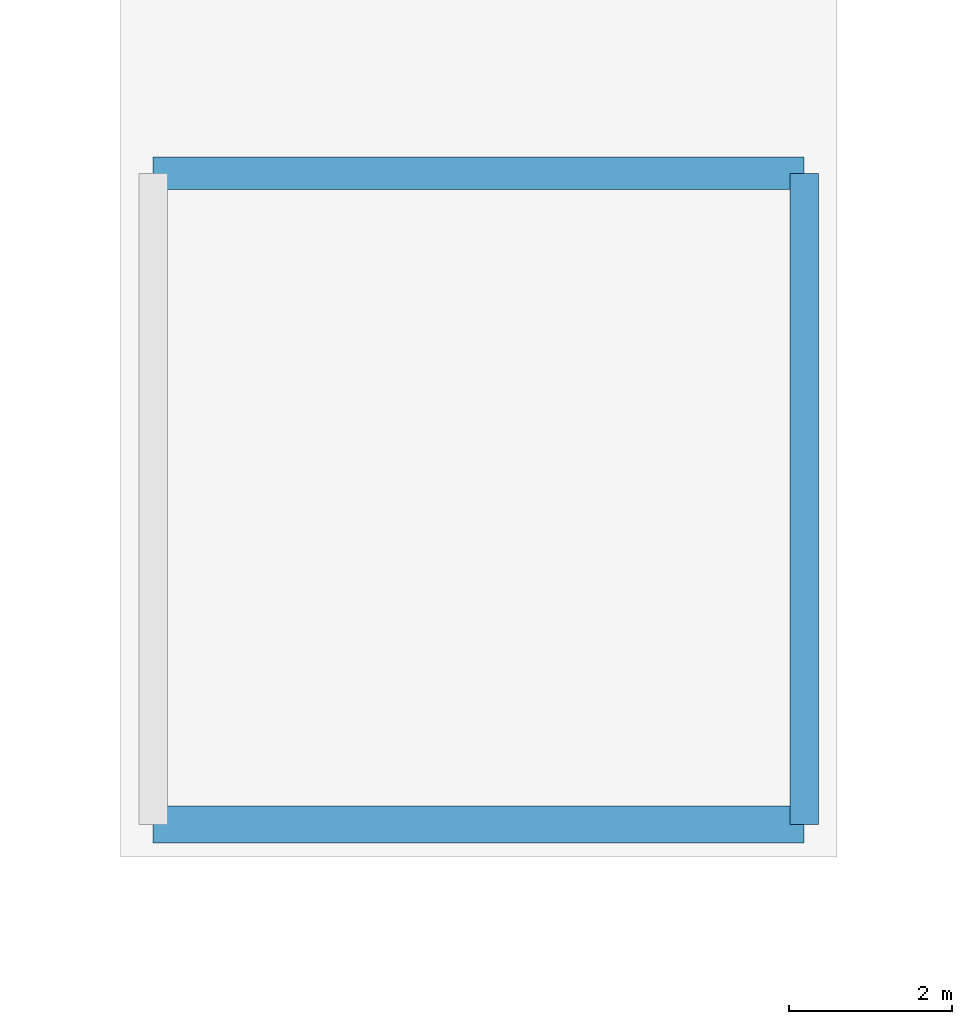
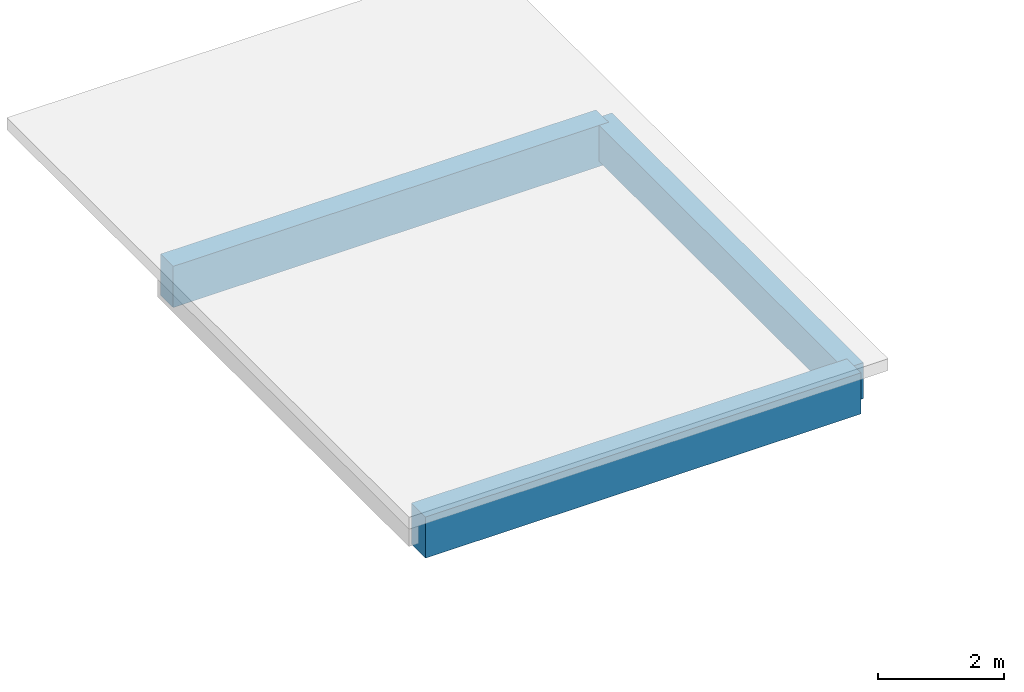
# One storey, part 38 of 72: 3 beams.
"""IFC4 building model written with IfcOpenShell, lengths in metres."""

from ifc_helpers import new_model, si_unit, direction, frame, origin, origin_2d, place, context, subcontext, project, spatial, rectangle, extrude, material, material_profile, profile_set, type_object, element, save


model = new_model("IFC4")

# Units and contexts
model_context = context("Model", 3, precision=1e-05, world=origin(), true_north=direction((0.0, 1.0)))
body_context = subcontext(model_context, "Body", "Model", "MODEL_VIEW")
ifc_project = project(units=[si_unit("LENGTHUNIT", "METRE"), si_unit("AREAUNIT", "SQUARE_METRE"), si_unit("VOLUMEUNIT", "CUBIC_METRE"), si_unit("PLANEANGLEUNIT", "RADIAN"), si_unit("MASSUNIT", "GRAM", prefix="KILO")], contexts=[model_context])

# Site, building, storey
site_placement = place(None, origin())
site = spatial("IfcSite", under=ifc_project, at=site_placement, CompositionType="ELEMENT")
building_placement = place(site_placement, origin())
building = spatial("IfcBuilding", under=site, at=building_placement, Name="Tenunan Teduh Sports Hall", CompositionType="ELEMENT")
storey_placement = place(building_placement, frame((0.0, 0.0, 15.0)))
storey = spatial("IfcBuildingStorey", under=building, at=storey_placement, Name="L03", CompositionType="ELEMENT", Elevation=15.0)

# Beams
ifc_material_1 = material(Name="Concrete C40/50", Category="concrete")
ifc_material_profile_1 = material_profile(ifc_material_1, rectangle(XDim=0.35009765625, YDim=0.699951171875, at=origin_2d()), Name="RCB 350x700")
ifc_profile_set_1 = profile_set([ifc_material_profile_1], Name="Concrete C40/50")
beam_type_1 = type_object("IfcBeamType", Name="BM-RC-350x700", PredefinedType="BEAM", material=ifc_profile_set_1)
beam_1_placement = place(storey_placement, frame((154.0, 94.0, -0.590087890625), z_axis=(0.0, 1.0, 0.0), x_axis=(-1.0, 0.0, 0.0)))
element("IfcBeam", 1, at=beam_1_placement, inside=storey, type_object=beam_type_1, Name="BM-B-06-L03-1945", PredefinedType="BEAM", context=body_context, shape_type="SweptSolid", body=[
    extrude(rectangle(XDim=0.35009765625, YDim=0.699951171875, at=origin_2d()), origin(), (0.0, 0.0, 1.0), 8.0),
])
ifc_material_2 = material(Name="Concrete C40/50", Category="concrete")
ifc_material_profile_2 = material_profile(ifc_material_2, rectangle(XDim=0.39990234375, YDim=0.800048828125, at=origin_2d()), Name="RCB 400x800")
ifc_profile_set_2 = profile_set([ifc_material_profile_2], Name="Concrete C40/50")
beam_type_2 = type_object("IfcBeamType", Name="BM-RC-400x800", PredefinedType="BEAM", material=ifc_profile_set_2)
beam_2_placement = place(storey_placement, frame((146.0, 102.0, -0.639892578125), z_axis=(1.0, 0.0, 0.0), x_axis=(0.0, 1.0, 0.0)))
element("IfcBeam", 2, at=beam_2_placement, inside=storey, type_object=beam_type_2, Name="BM-B-10-L03-1861", PredefinedType="BEAM", context=body_context, shape_type="SweptSolid", body=[
    extrude(rectangle(XDim=0.39990234375, YDim=0.800048828125, at=origin_2d()), origin(), (0.0, 0.0, 1.0), 8.0),
])
ifc_material_3 = material(Name="Concrete C40/50", Category="concrete")
ifc_material_profile_3 = material_profile(ifc_material_3, rectangle(XDim=0.449951171875, YDim=0.800048828125, at=origin_2d()), Name="RCB 450x800")
ifc_profile_set_3 = profile_set([ifc_material_profile_3], Name="Concrete C40/50")
beam_type_3 = type_object("IfcBeamType", Name="BM-RC-450x800", PredefinedType="BEAM", material=ifc_profile_set_3)
beam_3_placement = place(storey_placement, frame((146.0, 94.0, -0.639892578125), z_axis=(1.0, 0.0, 0.0), x_axis=(0.0, 1.0, 0.0)))
element("IfcBeam", 3, at=beam_3_placement, inside=storey, type_object=beam_type_3, Name="BM-B-12-L03-1850", PredefinedType="BEAM", context=body_context, shape_type="SweptSolid", body=[
    extrude(rectangle(XDim=0.449951171875, YDim=0.800048828125, at=origin_2d()), origin(), (0.0, 0.0, 1.0), 8.0),
])

save(model, "model.ifc")
